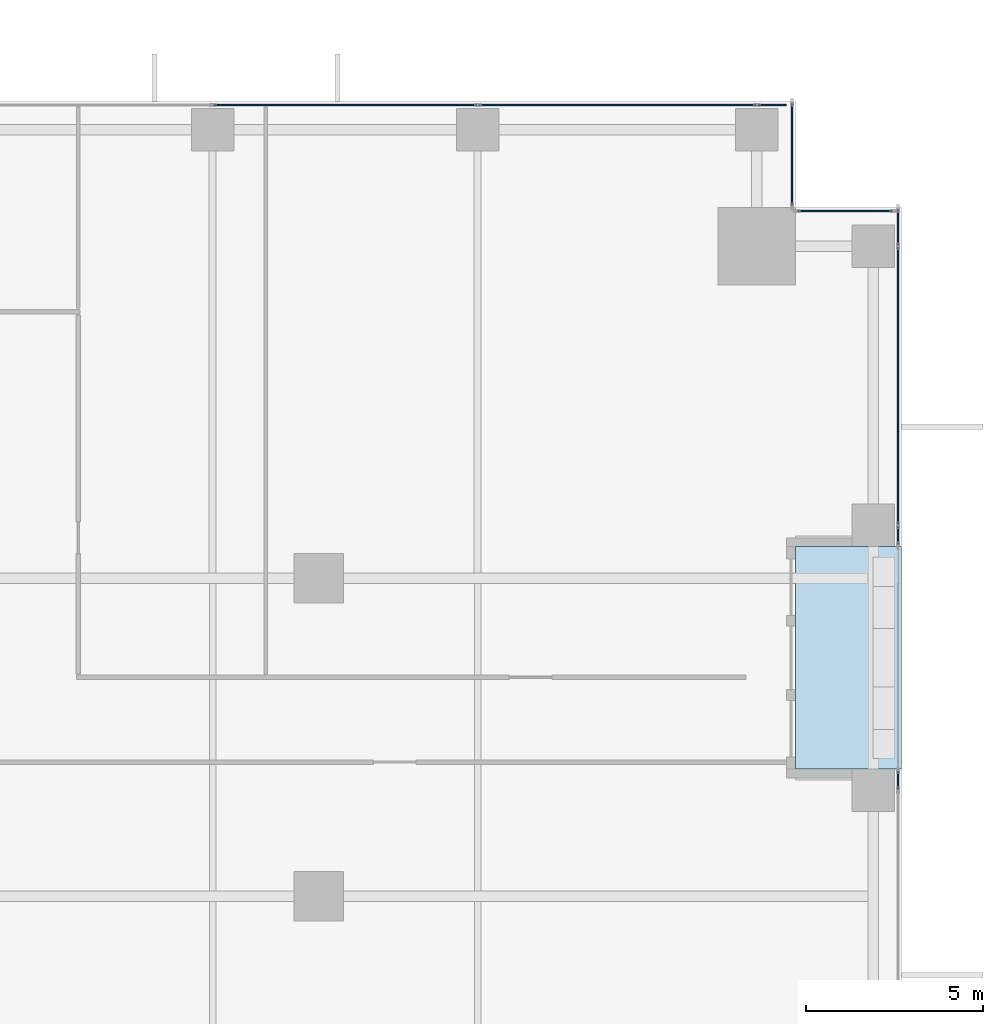
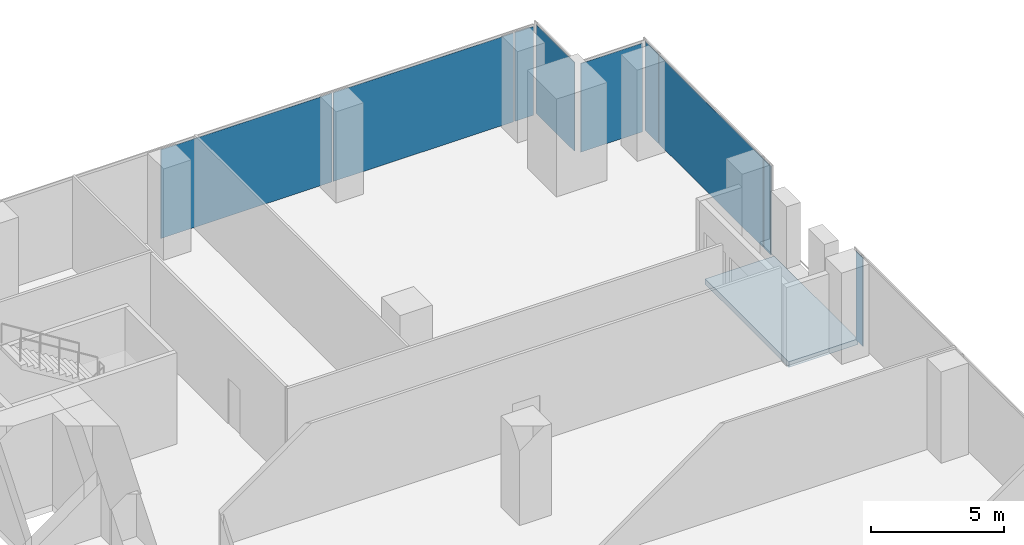
# One storey, part 25 of 32: 9 plates, 1 slab, 5 elements without a shape of their own.
"""IFC4 building model written with IfcOpenShell, lengths in metres."""

from ifc_helpers import new_model, si_unit, direction, frame, origin, origin_2d, place, context, subcontext, project, spatial, polyline, rectangle, outline, extrude, source, transform, mapped, material, layer, layer_set, type_object, element, aggregate, save


model = new_model("IFC4")

# Units and contexts
model_context = context("Model", 3, precision=1e-05, world=origin(), true_north=direction((0.0, 1.0)))
body_context = subcontext(model_context, "Body", "Model", "MODEL_VIEW")
ifc_project = project(units=[si_unit("LENGTHUNIT", "METRE"), si_unit("AREAUNIT", "SQUARE_METRE"), si_unit("VOLUMEUNIT", "CUBIC_METRE"), si_unit("PLANEANGLEUNIT", "RADIAN"), si_unit("MASSUNIT", "GRAM", prefix="KILO")], contexts=[model_context])

# Site, building, storey
site_placement = place(None, origin())
site = spatial("IfcSite", under=ifc_project, at=site_placement, CompositionType="ELEMENT")
building_placement = place(site_placement, origin())
building = spatial("IfcBuilding", under=site, at=building_placement, Name="Khomas Fold Tower", CompositionType="ELEMENT")
storey_placement = place(building_placement, frame((0.0, 0.0, 64.5)))
storey = spatial("IfcBuildingStorey", under=building, at=storey_placement, Name="L13", CompositionType="ELEMENT", Elevation=64.5)

# Curtain wall, plate
ifc_material_1 = material(Name="Aluminium framed double glazing", Category="aluminium")
curtain_wall_type = type_object("IfcCurtainWallType", Name="SK-Unitised clear-glass wall, growing floors CW1", PredefinedType="NOTDEFINED", material=ifc_material_1)
curtain_wall_1_placement = place(storey_placement, origin())
curtain_wall_1 = element("IfcCurtainWall", 1, at=curtain_wall_1_placement, inside=storey, type_object=curtain_wall_type, Name="CW1 run L13 06-0", PredefinedType="NOTDEFINED")
ifc_material_2 = material(Name="Clear double glazed unit")
ifc_layer_1 = layer(ifc_material_2, 0.031982421875)
ifc_layer_set_1 = layer_set([ifc_layer_1], Name="Clear double glazed unit")
plate_type = type_object("IfcPlateType", Name="SK-Unitised clear-glass wall, growing floors glass panel CW1-P", PredefinedType="CURTAIN_PANEL", material=ifc_layer_set_1)
shared_shape_1 = source(origin(), body_context, "Body", "SweptSolid", [
    extrude(rectangle(XDim=0.81005859375, YDim=0.031982421875, at=origin_2d()), origin(), (0.0, 0.0, 1.0), 4.080078125),
])
plate_1_placement = place(storey_placement, frame((50.3349609375, 53.89990234375, 0.0), z_axis=(0.0, 0.0, 1.0), x_axis=(-1.0, 0.0, 0.0)))
plate_1 = element("IfcPlate", 2, at=plate_1_placement, type_object=plate_type, Name="CW1 glass panel 1", PredefinedType="CURTAIN_PANEL", context=body_context, shape_type="MappedRepresentation", body=[
    mapped(shared_shape_1, transform((0.0, 0.0, 0.0))),
])

curtain_wall_2_placement = place(storey_placement, origin())
curtain_wall_2 = element("IfcCurtainWall", 3, at=curtain_wall_2_placement, inside=storey, type_object=curtain_wall_type, Name="CW1 run L13 03-1", PredefinedType="NOTDEFINED")
shared_shape_2 = source(origin(), body_context, "Body", "SweptSolid", [
    extrude(rectangle(XDim=7.840087890625, YDim=0.031982421875, at=origin_2d()), origin(), (0.0, 0.0, 1.0), 4.080078125),
])
plate_2_placement = place(storey_placement, frame((53.89990234375, 45.949951171875, 0.0), z_axis=(0.0, 0.0, 1.0), x_axis=(0.0, 1.0, 0.0)))
plate_2 = element("IfcPlate", 4, at=plate_2_placement, type_object=plate_type, Name="CW1 glass panel 2", PredefinedType="CURTAIN_PANEL", context=body_context, shape_type="MappedRepresentation", body=[
    mapped(shared_shape_2, transform((0.0, 0.0, 0.0))),
])

# Plate
plate_3_placement = place(storey_placement, frame((45.949951171875, 53.89990234375, 0.0), z_axis=(0.0, 0.0, 1.0), x_axis=(-1.0, 0.0, 0.0)))
plate_3 = element("IfcPlate", 5, at=plate_3_placement, type_object=plate_type, Name="CW1 glass panel 2", PredefinedType="CURTAIN_PANEL", context=body_context, shape_type="MappedRepresentation", body=[
    mapped(shared_shape_2, transform((0.0, 0.0, 0.0))),
])

shared_shape_3 = source(origin(), body_context, "Body", "SweptSolid", [
    extrude(rectangle(XDim=7.43994140625, YDim=0.031982421875, at=origin_2d()), origin(), (0.0, 0.0, 1.0), 4.080078125),
])
plate_4_placement = place(storey_placement, frame((38.25, 53.89990234375, 0.0), z_axis=(0.0, 0.0, 1.0), x_axis=(-1.0, 0.0, 0.0)))
plate_4 = element("IfcPlate", 6, at=plate_4_placement, type_object=plate_type, Name="CW1 glass panel 3", PredefinedType="CURTAIN_PANEL", context=body_context, shape_type="MappedRepresentation", body=[
    mapped(shared_shape_3, transform((0.0, 0.0, 0.0))),
])

aggregate(curtain_wall_1, [plate_1, plate_3, plate_4])

shared_shape_4 = source(origin(), body_context, "Body", "SweptSolid", [
    extrude(rectangle(XDim=1.010009765625, YDim=0.031982421875, at=origin_2d()), origin(), (0.0, 0.0, 1.0), 4.080078125),
])
plate_5_placement = place(storey_placement, frame((53.89990234375, 50.43505859375, 0.0), z_axis=(0.0, 0.0, 1.0), x_axis=(0.0, 1.0, 0.0)))
plate_5 = element("IfcPlate", 7, at=plate_5_placement, type_object=plate_type, Name="CW1 glass panel 3", PredefinedType="CURTAIN_PANEL", context=body_context, shape_type="MappedRepresentation", body=[
    mapped(shared_shape_4, transform((0.0, 0.0, 0.0))),
])

# Curtain wall, plate
curtain_wall_3_placement = place(storey_placement, origin())
curtain_wall_3 = element("IfcCurtainWall", 8, at=curtain_wall_3_placement, inside=storey, type_object=curtain_wall_type, Name="CW1 corner return L13 04", PredefinedType="NOTDEFINED")
shared_shape_5 = source(origin(), body_context, "Body", "SweptSolid", [
    extrude(rectangle(XDim=2.679931640625, YDim=0.031982421875, at=origin_2d()), origin(), (0.0, 0.0, 1.0), 4.080078125),
])
plate_6_placement = place(storey_placement, frame((52.39990234375, 50.89990234375, 0.0), z_axis=(0.0, 0.0, 1.0), x_axis=(-1.0, 0.0, 0.0)))
plate_6 = element("IfcPlate", 9, at=plate_6_placement, type_object=plate_type, Name="CW1 glass panel 1", PredefinedType="CURTAIN_PANEL", context=body_context, shape_type="MappedRepresentation", body=[
    mapped(shared_shape_5, transform((0.0, 0.0, 0.0))),
])
aggregate(curtain_wall_3, [plate_6])

curtain_wall_4_placement = place(storey_placement, origin())
curtain_wall_4 = element("IfcCurtainWall", 10, at=curtain_wall_4_placement, inside=storey, type_object=curtain_wall_type, Name="CW1 corner return L13 05", PredefinedType="NOTDEFINED")
shared_shape_6 = source(origin(), body_context, "Body", "SweptSolid", [
    extrude(rectangle(XDim=2.8798828125, YDim=0.031982421875, at=origin_2d()), origin(), (0.0, 0.0, 1.0), 4.080078125),
])
plate_7_placement = place(storey_placement, frame((50.89990234375, 52.5, 0.0), z_axis=(0.0, 0.0, 1.0), x_axis=(0.0, 1.0, 0.0)))
plate_7 = element("IfcPlate", 11, at=plate_7_placement, type_object=plate_type, Name="CW1 glass panel 1", PredefinedType="CURTAIN_PANEL", context=body_context, shape_type="MappedRepresentation", body=[
    mapped(shared_shape_6, transform((0.0, 0.0, 0.0))),
])
aggregate(curtain_wall_4, [plate_7])

curtain_wall_5_placement = place(storey_placement, origin())
curtain_wall_5 = element("IfcCurtainWall", 12, at=curtain_wall_5_placement, inside=storey, type_object=curtain_wall_type, Name="CW1 run L13 03-0", PredefinedType="NOTDEFINED")
shared_shape_7 = source(origin(), body_context, "Body", "SweptSolid", [
    extrude(rectangle(XDim=0.510009765625, YDim=0.031982421875, at=origin_2d()), origin(), (0.0, 0.0, 1.0), 4.080078125),
])
plate_8_placement = place(storey_placement, frame((53.89990234375, 34.784912109375, 0.0), z_axis=(0.0, 0.0, 1.0), x_axis=(0.0, 1.0, 0.0)))
plate_8 = element("IfcPlate", 13, at=plate_8_placement, type_object=plate_type, Name="CW1 glass panel 6", PredefinedType="CURTAIN_PANEL", context=body_context, shape_type="MappedRepresentation", body=[
    mapped(shared_shape_7, transform((0.0, 0.0, 0.0))),
])
aggregate(curtain_wall_5, [plate_8])

# Plate
plate_9_placement = place(storey_placement, frame((53.89990234375, 41.715087890625, 0.0), z_axis=(0.0, 0.0, 1.0), x_axis=(0.0, 1.0, 0.0)))
plate_9 = element("IfcPlate", 14, at=plate_9_placement, type_object=plate_type, Name="CW1 glass panel 1", PredefinedType="CURTAIN_PANEL", context=body_context, shape_type="MappedRepresentation", body=[
    mapped(shared_shape_7, transform((0.0, 0.0, 0.0))),
])

aggregate(curtain_wall_2, [plate_9, plate_2, plate_5])

# Slab
ifc_material_3 = material(Name="Concrete C40/50", Category="concrete")
ifc_layer_2 = layer(ifc_material_3, 0.2548828125)
ifc_layer_set_2 = layer_set([ifc_layer_2], Name="Concrete C40/50")
slab_type = type_object("IfcSlabType", Name="BL-Balcony deck 255", PredefinedType="FLOOR", material=ifc_layer_set_2)
shared_shape_8 = source(origin(), body_context, "Body", "SweptSolid", [
    extrude(outline(polyline([(51.0, 35.10009765625), (54.0, 35.10009765625), (54.0, 41.39990234375), (51.0, 41.39990234375), (51.0, 35.10009765625)])), origin(), (0.0, 0.0, 1.0), 0.255126953125),
])
slab_placement = place(storey_placement, frame((0.0, 0.0, -0.300048828125)))
element("IfcSlab", 15, at=slab_placement, inside=storey, type_object=slab_type, Name="Balcony deck BAL-L13-E4", PredefinedType="FLOOR", context=body_context, shape_type="MappedRepresentation", body=[
    mapped(shared_shape_8, transform((0.0, 0.0, 0.0))),
])

save(model, "model.ifc")
